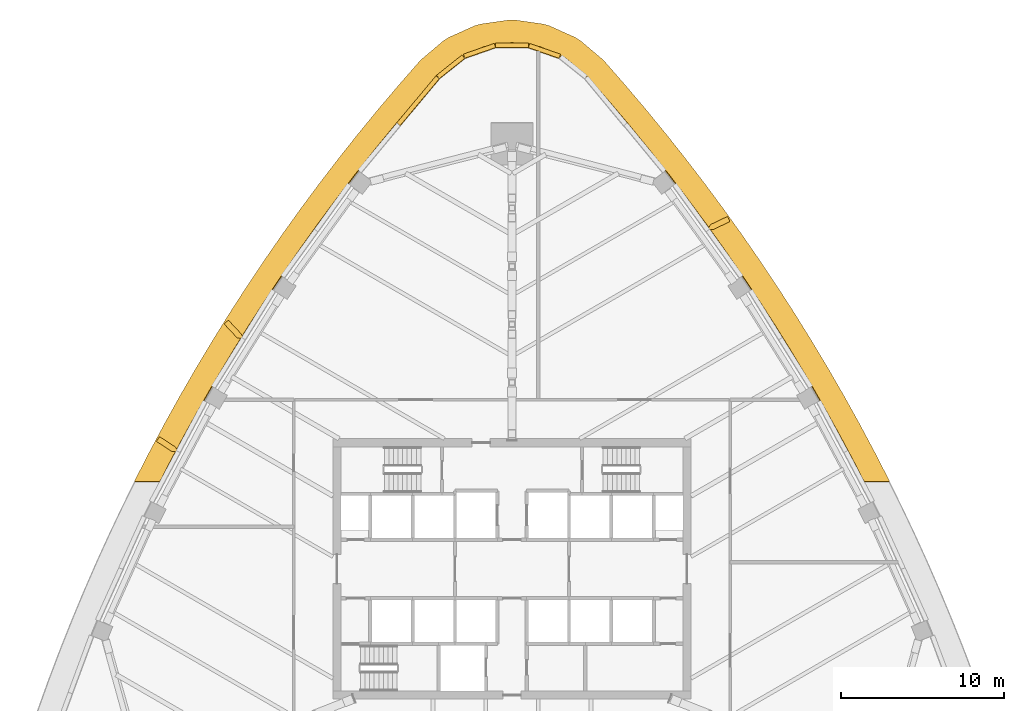
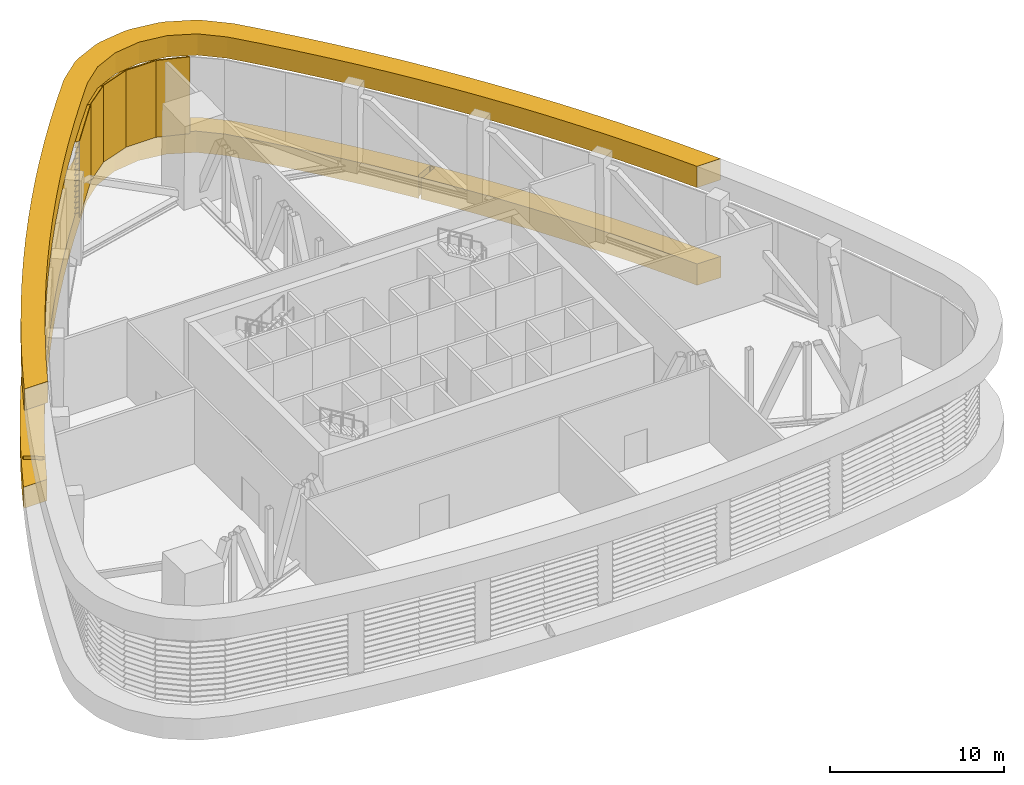
# One storey, part 17 of 18: 5 shading devices, 2 coverings.
"""IFC4 building model written with IfcOpenShell, lengths in metres."""

import ifcopenshell
import ifcopenshell.guid

model = None  # the IFC model being written
_history = None  # IfcOwnerHistory: only IFC2X3 demands one
_inside = {}  # id of a spatial element -> (the spatial element, [elements in it])
_under = {}  # id of a project, library or spatial element -> (it, [spatial elements below it])
_declared = {}  # id of a project -> (the project, [libraries it declares])
_typed = {}  # id of a type object -> (the type object, [elements of that type])
_made_of = {}  # id of a material, layer set ... -> (it, [elements and type objects made of it])


def new_model(schema):
    """Start an empty IFC model of exactly this schema.

    Asked for "IFC4X3", IfcOpenShell would pick the latest addendum, in which some entities
    have other attributes; the version numbers below select the first issue.
    IFC2X3 requires an IfcOwnerHistory on every rooted entity: one is made here for all.
    """
    global model, _history
    if schema == "IFC4X3":
        model = ifcopenshell.file(schema_version=(4, 3, 0, 0))
    else:
        model = ifcopenshell.file(schema=schema)
    _inside.clear()
    _under.clear()
    _declared.clear()
    _typed.clear()
    _made_of.clear()
    _history = None
    if model.schema == "IFC2X3":
        org = make("IfcOrganization", Name="unknown")
        user = make(
            "IfcPersonAndOrganization",
            ThePerson=make("IfcPerson", FamilyName="unknown"),
            TheOrganization=org,
        )
        app = make(
            "IfcApplication",
            ApplicationDeveloper=org,
            Version="unknown",
            ApplicationFullName="unknown",
            ApplicationIdentifier="unknown",
        )
        _history = make(
            "IfcOwnerHistory",
            OwningUser=user,
            OwningApplication=app,
            ChangeAction="ADDED",
            CreationDate=0,
        )
    return model


def make(cls, **values):
    """One entity of the class cls with the attributes given. An attribute that is None is left unset."""
    return model.create_entity(
        cls, **{name: value for name, value in values.items() if value is not None}
    )


def rooted(cls, **values):
    """An entity with a GlobalId (a new one), such as an element, a storey or a relation."""
    return make(cls, GlobalId=ifcopenshell.guid.new(), OwnerHistory=_history, **values)


def si_unit(unit_type, name, prefix=None):
    """IfcSIUnit, for example si_unit("LENGTHUNIT", "METRE", prefix="MILLI")."""
    return make("IfcSIUnit", UnitType=unit_type, Prefix=prefix, Name=name)


def assignment(units):
    """IfcUnitAssignment: the units of a project."""
    return None if units is None else make("IfcUnitAssignment", Units=units)


def point(xyz):
    """IfcCartesianPoint."""
    return None if xyz is None else make("IfcCartesianPoint", Coordinates=xyz)


def direction(xyz):
    """IfcDirection."""
    return None if xyz is None else make("IfcDirection", DirectionRatios=xyz)


def frame(location, z_axis=None, x_axis=None):
    """IfcAxis2Placement3D, a coordinate frame: its origin and axes. An axis left out is left unset."""
    return make(
        "IfcAxis2Placement3D",
        Location=point(location),
        Axis=direction(z_axis),
        RefDirection=direction(x_axis),
    )


def origin():
    """The frame at (0, 0, 0) with its axes left unset."""
    return frame((0.0, 0.0, 0.0))


def place(relative_to, where):
    """IfcLocalPlacement: puts the frame where relative to a parent placement (None: the world)."""
    return make(
        "IfcLocalPlacement", PlacementRelTo=relative_to, RelativePlacement=where
    )


def context(
    kind, dimensions, precision=None, world=None, true_north=None, identifier=None
):
    """IfcGeometricRepresentationContext, for example the 3D "Model" context."""
    return make(
        "IfcGeometricRepresentationContext",
        ContextIdentifier=identifier,
        ContextType=kind,
        CoordinateSpaceDimension=dimensions,
        Precision=precision,
        WorldCoordinateSystem=world,
        TrueNorth=true_north,
    )


def subcontext(parent, identifier, kind, view, scale=None):
    """IfcGeometricRepresentationSubContext, for example "Body" below "Model"."""
    return make(
        "IfcGeometricRepresentationSubContext",
        ContextIdentifier=identifier,
        ContextType=kind,
        ParentContext=parent,
        TargetScale=scale,
        TargetView=view,
    )


def project(units=None, contexts=None):
    """IfcProject with its units and contexts."""
    return rooted(
        "IfcProject",
        Name="project",
        RepresentationContexts=contexts,
        UnitsInContext=assignment(units),
    )


def spatial(cls, under=None, at=None, **own):
    """A site, building, storey or space (cls), placed at a placement, below another one or the project."""
    s = rooted(cls, ObjectPlacement=at, **own)
    if under is not None:
        _under.setdefault(under.id(), (under, []))[1].append(s)
    return s


def polyline(points):
    """IfcPolyline through the points."""
    return make("IfcPolyline", Points=[point(p) for p in points])


def outline(outer, holes=None, kind="AREA"):
    """IfcArbitraryClosedProfileDef: a profile drawn as a closed curve; with holes, ...WithVoids."""
    if holes is None:
        return make("IfcArbitraryClosedProfileDef", ProfileType=kind, OuterCurve=outer)
    return make(
        "IfcArbitraryProfileDefWithVoids",
        ProfileType=kind,
        OuterCurve=outer,
        InnerCurves=holes,
    )


def extrude(swept, where, along, depth):
    """IfcExtrudedAreaSolid: the profile swept, set in the frame where, extruded along a direction by depth."""
    return make(
        "IfcExtrudedAreaSolid",
        SweptArea=swept,
        Position=where,
        ExtrudedDirection=direction(along),
        Depth=depth,
    )


def shape(context_of_items, identifier, shape_type, items):
    """IfcShapeRepresentation: the items that make up one representation, for example the "Body"."""
    return make(
        "IfcShapeRepresentation",
        ContextOfItems=context_of_items,
        RepresentationIdentifier=identifier,
        RepresentationType=shape_type,
        Items=items,
    )


def material(Name=None, Category=None):
    """IfcMaterial."""
    return make("IfcMaterial", Name=Name, Category=Category)


def layer(
    of_material, thickness, ventilated=None, Name=None, Category=None, Priority=None
):
    """IfcMaterialLayer: one layer of a wall or slab, of a material (None: an air gap)."""
    return make(
        "IfcMaterialLayer",
        Material=of_material,
        LayerThickness=thickness,
        IsVentilated=ventilated,
        Name=Name,
        Category=Category,
        Priority=Priority,
    )


def layer_set(layers, Name=None):
    """IfcMaterialLayerSet."""
    return make("IfcMaterialLayerSet", MaterialLayers=layers, LayerSetName=Name)


def made_of(thing, what):
    """Note that an element or type object is made of a material, layer set ...; save() writes the relation."""
    if what is not None:
        _made_of.setdefault(what.id(), (what, []))[1].append(thing)
    return thing


def type_object(cls, material=None, **own):
    """A type object (cls), such as IfcWallType, which elements share."""
    return made_of(rooted(cls, **own), material)


def element(
    cls,
    number,
    at=None,
    inside=None,
    cuts=None,
    type_object=None,
    material=None,
    context=None,
    identifier="Body",
    shape_type=None,
    held_by="IfcProductDefinitionShape",
    body=None,
    shapes=None,
    **own,
):
    """One element of the class cls, such as IfcWall. Its Tag is "e" and its number.

    at: its placement. inside: the storey or other place that contains it. cuts: it is an
    opening in that element (IfcRelVoidsElement). A single representation is given by context,
    identifier, shape_type and body (its items); several are given by shapes. held_by: the class
    of the entity that holds the representations. save() writes the other relations.
    """
    e = rooted(cls, Tag="e%d" % number, ObjectPlacement=at, **own)
    if body is not None:
        shapes = [shape(context, identifier, shape_type, body)]
    if shapes is not None:
        e.Representation = make(held_by, Representations=shapes)
    if inside is not None:
        _inside.setdefault(inside.id(), (inside, []))[1].append(e)
    if cuts is not None:
        rooted(
            "IfcRelVoidsElement", RelatingBuildingElement=cuts, RelatedOpeningElement=e
        )
    if type_object is not None:
        _typed.setdefault(type_object.id(), (type_object, []))[1].append(e)
    return made_of(e, material)


def aggregate(whole, parts):
    """IfcRelAggregates: a whole, such as a stair, and the parts it consists of."""
    return rooted("IfcRelAggregates", RelatingObject=whole, RelatedObjects=parts)


def save(model, path):
    """Write the relations noted so far, then the file.

    IfcRelAggregates (storeys below a building ...), IfcRelContainedInSpatialStructure (elements
    in a storey), IfcRelDefinesByType, IfcRelAssociatesMaterial and IfcRelDeclares: one each for
    every whole, place, type object, material and project.
    """
    for whole, parts in _under.values():
        aggregate(whole, parts)
    for where, things in _inside.values():
        rooted(
            "IfcRelContainedInSpatialStructure",
            RelatedElements=things,
            RelatingStructure=where,
        )
    for kind, things in _typed.values():
        rooted("IfcRelDefinesByType", RelatedObjects=things, RelatingType=kind)
    for what, things in _made_of.values():
        rooted("IfcRelAssociatesMaterial", RelatedObjects=things, RelatingMaterial=what)
    for by, libraries in _declared.values():
        rooted("IfcRelDeclares", RelatingContext=by, RelatedDefinitions=libraries)
    model.write(path)


model = new_model("IFC4")

# Units and contexts
model_context = context("Model", 3, precision=1e-05, world=origin(), true_north=direction((0.0, 1.0)))
body_context = subcontext(model_context, "Body", "Model", "MODEL_VIEW")
ifc_project = project(units=[si_unit("LENGTHUNIT", "METRE"), si_unit("AREAUNIT", "SQUARE_METRE"), si_unit("VOLUMEUNIT", "CUBIC_METRE"), si_unit("PLANEANGLEUNIT", "RADIAN"), si_unit("MASSUNIT", "GRAM", prefix="KILO")], contexts=[model_context])

# Site, building, storey
site_placement = place(None, origin())
site = spatial("IfcSite", under=ifc_project, at=site_placement, CompositionType="ELEMENT")
building_placement = place(site_placement, origin())
building = spatial("IfcBuilding", under=site, at=building_placement, Name="Sierra Prisma Convention Tower", CompositionType="ELEMENT")
storey_placement = place(building_placement, frame((0.0, 0.0, 213.800048828125)))
storey = spatial("IfcBuildingStorey", under=building, at=storey_placement, Name="L48", CompositionType="ELEMENT", Elevation=213.800048828125)

# Coverings
ifc_material_1 = material(Name="Aluminium composite bronze anodised", Category="aluminium")
ifc_layer = layer(ifc_material_1, 1.39990234375)
ifc_layer_set = layer_set([ifc_layer], Name="Bronze belt mass")
covering_type = type_object("IfcCoveringType", Name="Bronze belt mass", PredefinedType="CLADDING", material=ifc_layer_set)
covering_1_placement = place(storey_placement, frame((0.0, 0.0, -1.5)))
element("IfcCovering", 1, at=covering_1_placement, inside=storey, type_object=covering_type, Name="Belt mass lower L48.2", PredefinedType="CLADDING", context=body_context, shape_type="SweptSolid", body=[
    extrude(outline(polyline([(-23.14306640625, 5.484619140625), (-23.1328125, 5.5048828125), (-22.25341796875, 7.21630859375), (-22.242919921875, 7.236572265625), (-21.335693359375, 8.933349609375), (-21.32470703125, 8.953369140625), (-20.39013671875, 10.635009765625), (-20.37890625, 10.65478515625), (-19.4169921875, 12.321044921875), (-19.4052734375, 12.3408203125), (-18.416259765625, 13.9912109375), (-18.404296875, 14.010498046875), (-17.388427734375, 15.64453125), (-17.376220703125, 15.663818359375), (-16.333984375, 17.281005859375), (-16.3212890625, 17.300048828125), (-15.252685546875, 18.89990234375), (-15.239990234375, 18.9189453125), (-14.145263671875, 20.501220703125), (-14.132080078125, 20.52001953125), (-13.01171875, 22.083984375), (-12.998291015625, 22.1025390625), (-11.852783203125, 23.648193359375), (-11.839111328125, 23.66650390625), (-10.668212890625, 25.193359375), (-10.654296875, 25.211181640625), (-9.458740234375, 26.71875), (-9.4443359375, 26.736572265625), (-8.224609375, 28.224365234375), (-8.209716796875, 28.241943359375), (-6.9658203125, 29.709716796875), (-6.950927734375, 29.726806640625), (-5.68310546875, 31.174072265625), (-5.534912109375, 31.31982421875), (-4.209228515625, 32.4423828125), (-3.87744140625, 32.6513671875), (-2.292724609375, 33.3623046875), (-1.916015625, 33.470947265625), (-0.196044921875, 33.71435546875), (0.196044921875, 33.71435546875), (1.916015625, 33.470947265625), (2.292724609375, 33.3623046875), (3.87744140625, 32.6513671875), (4.209228515625, 32.4423828125), (5.534912109375, 31.31982421875), (5.68310546875, 31.174072265625), (6.950927734375, 29.726806640625), (6.9658203125, 29.709716796875), (8.209716796875, 28.241943359375), (8.224609375, 28.224365234375), (9.4443359375, 26.736572265625), (9.458740234375, 26.71875), (10.654296875, 25.211181640625), (10.668212890625, 25.193359375), (11.839111328125, 23.66650390625), (11.852783203125, 23.648193359375), (12.998291015625, 22.1025390625), (13.01171875, 22.083984375), (14.132080078125, 20.52001953125), (14.145263671875, 20.501220703125), (15.239990234375, 18.9189453125), (15.252685546875, 18.89990234375), (16.3212890625, 17.300048828125), (16.333984375, 17.281005859375), (17.376220703125, 15.663818359375), (17.388427734375, 15.64453125), (18.404296875, 14.010498046875), (18.416259765625, 13.9912109375), (19.4052734375, 12.3408203125), (19.4169921875, 12.321044921875), (20.37890625, 10.65478515625), (20.39013671875, 10.635009765625), (21.32470703125, 8.953369140625), (21.335693359375, 8.933349609375), (22.242919921875, 7.236572265625), (22.25341796875, 7.21630859375), (23.1328125, 5.5048828125), (23.14306640625, 5.484619140625), (23.195068359375, 5.379150390625), (21.62353515625, 5.379150390625), (21.00830078125, 6.576416015625), (20.10107421875, 8.273193359375), (19.16650390625, 9.954833984375), (18.204345703125, 11.62109375), (17.21533203125, 13.271484375), (16.199462890625, 14.905517578125), (15.1572265625, 16.5224609375), (14.08837890625, 18.122314453125), (12.993896484375, 19.70458984375), (12.175048828125, 20.84814453125), (12.177490234375, 20.84619140625), (12.181640625, 20.84326171875), (12.186279296875, 20.8408203125), (12.191162109375, 20.8388671875), (12.196044921875, 20.83740234375), (12.201171875, 20.836669921875), (12.206298828125, 20.836181640625), (12.328857421875, 20.833984375), (12.33349609375, 20.834228515625), (12.338134765625, 20.834716796875), (12.342529296875, 20.835693359375), (12.346923828125, 20.837158203125), (12.351318359375, 20.839111328125), (13.34326171875, 21.314453125), (13.34765625, 21.316650390625), (13.351806640625, 21.3193359375), (13.35546875, 21.322509765625), (13.35888671875, 21.326171875), (13.362060546875, 21.329833984375), (13.36474609375, 21.333984375), (13.366943359375, 21.33837890625), (13.368896484375, 21.3427734375), (13.3701171875, 21.347412109375), (13.37109375, 21.352294921875), (13.37158203125, 21.357177734375), (13.37158203125, 21.3623046875), (13.37109375, 21.366943359375), (13.3701171875, 21.371826171875), (13.36865234375, 21.37646484375), (13.36669921875, 21.381103515625), (13.2587890625, 21.6064453125), (13.25634765625, 21.61083984375), (13.253662109375, 21.614990234375), (13.25048828125, 21.61865234375), (13.2470703125, 21.6220703125), (13.2431640625, 21.625244140625), (13.239013671875, 21.6279296875), (13.23486328125, 21.630126953125), (13.230224609375, 21.632080078125), (13.2255859375, 21.633544921875), (13.220703125, 21.634521484375), (13.2158203125, 21.634765625), (13.2109375, 21.634765625), (13.2060546875, 21.63427734375), (13.201171875, 21.63330078125), (13.196533203125, 21.6318359375), (13.19189453125, 21.6298828125), (12.2001953125, 21.154541015625), (12.196044921875, 21.15234375), (12.192138671875, 21.14990234375), (12.1884765625, 21.14697265625), (12.18505859375, 21.1435546875), (12.18212890625, 21.14013671875), (12.179443359375, 21.13623046875), (12.17724609375, 21.13232421875), (12.1044921875, 20.990234375), (12.1025390625, 20.98583984375), (12.100830078125, 20.981201171875), (12.099853515625, 20.976318359375), (12.09912109375, 20.97119140625), (12.09912109375, 20.96630859375), (12.099365234375, 20.96142578125), (12.100341796875, 20.95654296875), (12.1015625, 20.95166015625), (12.1025390625, 20.94921875), (11.873779296875, 21.268798828125), (10.72802734375, 22.814697265625), (9.557373046875, 24.34130859375), (8.36181640625, 25.848876953125), (7.141845703125, 27.336669921875), (5.897705078125, 28.80419921875), (4.6298828125, 30.25146484375), (3.3046875, 31.3740234375), (1.7197265625, 32.084716796875), (0.0, 32.328125), (-1.7197265625, 32.084716796875), (-3.3046875, 31.3740234375), (-4.6298828125, 30.25146484375), (-5.897705078125, 28.80419921875), (-7.141845703125, 27.336669921875), (-8.36181640625, 25.848876953125), (-9.557373046875, 24.34130859375), (-10.72802734375, 22.814697265625), (-11.873779296875, 21.268798828125), (-12.993896484375, 19.70458984375), (-14.08837890625, 18.122314453125), (-15.1572265625, 16.5224609375), (-16.199462890625, 14.905517578125), (-16.5810546875, 14.291748046875), (-16.58056640625, 14.29638671875), (-16.58056640625, 14.30126953125), (-16.580810546875, 14.30615234375), (-16.581787109375, 14.31103515625), (-16.583251953125, 14.31591796875), (-16.620361328125, 14.422119140625), (-16.622314453125, 14.427001953125), (-16.624755859375, 14.431640625), (-16.627685546875, 14.435791015625), (-16.631103515625, 14.43994140625), (-17.383056640625, 15.24267578125), (-17.38671875, 15.24609375), (-17.390380859375, 15.249267578125), (-17.39453125, 15.251708984375), (-17.39892578125, 15.254150390625), (-17.403564453125, 15.255859375), (-17.408203125, 15.257080078125), (-17.4130859375, 15.258056640625), (-17.41796875, 15.258544921875), (-17.4228515625, 15.25830078125), (-17.427734375, 15.2578125), (-17.4326171875, 15.2568359375), (-17.437255859375, 15.25537109375), (-17.441650390625, 15.25341796875), (-17.446044921875, 15.2509765625), (-17.449951171875, 15.248291015625), (-17.453857421875, 15.2451171875), (-17.63623046875, 15.07421875), (-17.6396484375, 15.070556640625), (-17.642578125, 15.066650390625), (-17.645263671875, 15.0625), (-17.647705078125, 15.05810546875), (-17.6494140625, 15.0537109375), (-17.650634765625, 15.048828125), (-17.651611328125, 15.044189453125), (-17.652099609375, 15.039306640625), (-17.65185546875, 15.0341796875), (-17.6513671875, 15.029296875), (-17.650390625, 15.024658203125), (-17.648681640625, 15.02001953125), (-17.64697265625, 15.015380859375), (-17.64453125, 15.01123046875), (-17.6416015625, 15.007080078125), (-17.638427734375, 15.00341796875), (-16.886474609375, 14.20068359375), (-16.8828125, 14.197265625), (-16.87890625, 14.194091796875), (-16.874755859375, 14.19140625), (-16.870361328125, 14.189208984375), (-16.86572265625, 14.1875), (-16.86083984375, 14.18603515625), (-16.85595703125, 14.185302734375), (-16.689208984375, 14.164794921875), (-16.6845703125, 14.16455078125), (-16.679931640625, 14.16455078125), (-16.67529296875, 14.1650390625), (-16.67041015625, 14.166015625), (-16.666015625, 14.16748046875), (-16.66162109375, 14.16943359375), (-16.657470703125, 14.171630859375), (-16.654541015625, 14.173583984375), (-17.21533203125, 13.271484375), (-18.204345703125, 11.62109375), (-19.16650390625, 9.954833984375), (-20.10107421875, 8.273193359375), (-20.601806640625, 7.33642578125), (-20.601806640625, 7.3408203125), (-20.601806640625, 7.345458984375), (-20.6025390625, 7.350341796875), (-20.603759765625, 7.35498046875), (-20.605224609375, 7.359619140625), (-20.607421875, 7.364013671875), (-20.66845703125, 7.481201171875), (-20.6708984375, 7.485595703125), (-20.674072265625, 7.48974609375), (-20.677490234375, 7.493408203125), (-20.681396484375, 7.496826171875), (-20.685302734375, 7.5), (-21.606689453125, 8.101318359375), (-21.61083984375, 8.103515625), (-21.615234375, 8.105712890625), (-21.619873046875, 8.107421875), (-21.624755859375, 8.1083984375), (-21.629638671875, 8.109130859375), (-21.634521484375, 8.109375), (-21.639404296875, 8.10888671875), (-21.644287109375, 8.108154296875), (-21.64892578125, 8.10693359375), (-21.653564453125, 8.105224609375), (-21.657958984375, 8.10302734375), (-21.662109375, 8.1005859375), (-21.666015625, 8.09765625), (-21.669677734375, 8.09423828125), (-21.6728515625, 8.090576171875), (-21.67578125, 8.086669921875), (-21.8125, 7.877197265625), (-21.81494140625, 7.873046875), (-21.81689453125, 7.86865234375), (-21.818603515625, 7.864013671875), (-21.819580078125, 7.859130859375), (-21.8203125, 7.854248046875), (-21.820556640625, 7.849365234375), (-21.8203125, 7.844482421875), (-21.819580078125, 7.839599609375), (-21.818359375, 7.8349609375), (-21.816650390625, 7.830322265625), (-21.814453125, 7.825927734375), (-21.811767578125, 7.82177734375), (-21.808837890625, 7.81787109375), (-21.805419921875, 7.814208984375), (-21.802001953125, 7.81103515625), (-21.7978515625, 7.80810546875), (-20.876708984375, 7.206787109375), (-20.872314453125, 7.204345703125), (-20.867919921875, 7.2021484375), (-20.863037109375, 7.20068359375), (-20.858154296875, 7.199462890625), (-20.85302734375, 7.198974609375), (-20.84814453125, 7.19873046875), (-20.697509765625, 7.20263671875), (-20.692626953125, 7.203125), (-20.68798828125, 7.203857421875), (-20.683349609375, 7.205078125), (-20.678955078125, 7.206787109375), (-20.674560546875, 7.208984375), (-20.670654296875, 7.21142578125), (-20.66748046875, 7.2138671875), (-21.00830078125, 6.576416015625), (-21.62353515625, 5.379150390625), (-23.195068359375, 5.379150390625), (-23.14306640625, 5.484619140625)])), origin(), (0.0, 0.0, 1.0), 1.5),
])
covering_2_placement = place(storey_placement, frame((0.0, 0.0, 5.39990234375)))
element("IfcCovering", 2, at=covering_2_placement, inside=storey, type_object=covering_type, Name="Belt mass upper L48.2", PredefinedType="CLADDING", context=body_context, shape_type="SweptSolid", body=[
    extrude(outline(polyline([(-22.7607421875, 6.135498046875), (-22.749755859375, 6.15673828125), (-21.826416015625, 7.925537109375), (-21.815185546875, 7.946533203125), (-20.862060546875, 9.699462890625), (-20.8505859375, 9.720458984375), (-19.86767578125, 11.456787109375), (-19.855712890625, 11.477294921875), (-18.84326171875, 13.197021484375), (-18.8310546875, 13.21728515625), (-17.78955078125, 14.919189453125), (-17.777099609375, 14.939453125), (-16.706787109375, 16.62353515625), (-16.69384765625, 16.6435546875), (-15.59521484375, 18.30908203125), (-15.581787109375, 18.328857421875), (-14.454833984375, 19.9755859375), (-14.44140625, 19.9951171875), (-13.28662109375, 21.622314453125), (-13.272705078125, 21.6416015625), (-12.09033203125, 23.2490234375), (-12.076171875, 23.26806640625), (-10.86669921875, 24.855224609375), (-10.85205078125, 24.8740234375), (-9.61572265625, 26.440185546875), (-9.600830078125, 26.458740234375), (-8.338134765625, 28.003662109375), (-8.322998046875, 28.022216796875), (-7.0341796875, 29.54541015625), (-7.0185546875, 29.5634765625), (-5.7041015625, 31.064453125), (-5.555419921875, 31.210693359375), (-4.223876953125, 32.337890625), (-3.89208984375, 32.546875), (-2.30029296875, 33.2607421875), (-1.923583984375, 33.369384765625), (-0.196044921875, 33.61376953125), (0.196044921875, 33.61376953125), (1.923583984375, 33.369384765625), (2.30029296875, 33.2607421875), (3.89208984375, 32.546875), (4.223876953125, 32.337890625), (5.555419921875, 31.210693359375), (5.7041015625, 31.064453125), (7.0185546875, 29.5634765625), (7.0341796875, 29.54541015625), (8.322998046875, 28.022216796875), (8.338134765625, 28.003662109375), (9.600830078125, 26.458740234375), (9.61572265625, 26.440185546875), (10.85205078125, 24.8740234375), (10.86669921875, 24.855224609375), (12.076171875, 23.26806640625), (12.09033203125, 23.2490234375), (13.272705078125, 21.6416015625), (13.28662109375, 21.622314453125), (14.44140625, 19.9951171875), (14.454833984375, 19.9755859375), (15.581787109375, 18.328857421875), (15.59521484375, 18.30908203125), (16.69384765625, 16.6435546875), (16.706787109375, 16.62353515625), (17.777099609375, 14.939453125), (17.78955078125, 14.919189453125), (18.8310546875, 13.21728515625), (18.84326171875, 13.197021484375), (19.855712890625, 11.477294921875), (19.86767578125, 11.456787109375), (20.8505859375, 9.720458984375), (20.862060546875, 9.699462890625), (21.815185546875, 7.946533203125), (21.826416015625, 7.925537109375), (22.749755859375, 6.15673828125), (22.7607421875, 6.135498046875), (23.154052734375, 5.349853515625), (21.58837890625, 5.349853515625), (21.5087890625, 5.5087890625), (20.58544921875, 7.27783203125), (19.632080078125, 9.03076171875), (18.649169921875, 10.76708984375), (17.636962890625, 12.486572265625), (16.595458984375, 14.188720703125), (15.525146484375, 15.872802734375), (14.426513671875, 17.538330078125), (13.299560546875, 19.184814453125), (12.144775390625, 20.812255859375), (10.962646484375, 22.41943359375), (9.753173828125, 24.006591796875), (8.516845703125, 25.57275390625), (7.254150390625, 27.117919921875), (5.96533203125, 28.64111328125), (4.65087890625, 30.14208984375), (3.3193359375, 31.26953125), (1.727294921875, 31.9833984375), (0.0, 32.2275390625), (-1.727294921875, 31.9833984375), (-3.3193359375, 31.26953125), (-4.65087890625, 30.14208984375), (-5.96533203125, 28.64111328125), (-7.254150390625, 27.117919921875), (-8.516845703125, 25.57275390625), (-9.753173828125, 24.006591796875), (-10.962646484375, 22.41943359375), (-12.144775390625, 20.812255859375), (-13.299560546875, 19.184814453125), (-14.426513671875, 17.538330078125), (-15.525146484375, 15.872802734375), (-16.595458984375, 14.188720703125), (-17.636962890625, 12.486572265625), (-18.649169921875, 10.76708984375), (-19.632080078125, 9.03076171875), (-20.58544921875, 7.27783203125), (-21.5087890625, 5.5087890625), (-21.58837890625, 5.349853515625), (-23.154052734375, 5.349853515625), (-22.7607421875, 6.135498046875)])), origin(), (0.0, 0.0, 1.0), 1.5),
])

# Shading devices
ifc_material_2 = material(Name="Aluminium 6063-T6 bronze anodised", Category="aluminium")
shading_device_type = type_object("IfcShadingDeviceType", Name="Louvre bay bronze", PredefinedType="USERDEFINED", material=ifc_material_2)
shading_device_1_placement = place(storey_placement, frame((2.883544921875, 31.332763671875, 0.0), z_axis=(0.944641754427, -0.328103574795, 0.0), x_axis=(0.0, 0.0, 1.0)))
element("IfcShadingDevice", 3, at=shading_device_1_placement, inside=storey, type_object=shading_device_type, Name="Louvre L48 N2.1", ObjectType="LOUVRE", PredefinedType="USERDEFINED", context=body_context, shape_type="SweptSolid", body=[
    extrude(outline(polyline([(0.0, 0.0), (5.39990234375, 0.0), (5.39990234375, -0.02995668615852561), (5.3798828125, -0.02995668615852561), (5.260009765625, -0.29981685662782104), (5.22998046875, -0.29981685662782104), (5.349853515625, -0.02995668615852561), (5.01416015625, -0.02995668615852561), (4.994140625, -0.02995668615852561), (4.874267578125, -0.29981685662782104), (4.84423828125, -0.29981685662782104), (4.96435546875, -0.02995668615852561), (4.62841796875, -0.02995668615852561), (4.608642578125, -0.02995668615852561), (4.488525390625, -0.29981685662782104), (4.45849609375, -0.29981685662782104), (4.57861328125, -0.02995668615852561), (4.242919921875, -0.02995668615852561), (4.222900390625, -0.02995668615852561), (4.102783203125, -0.29981685662782104), (4.07275390625, -0.29981685662782104), (4.19287109375, -0.02995668615852561), (3.857177734375, -0.02995668615852561), (3.837158203125, -0.02995668615852561), (3.717041015625, -0.29981685662782104), (3.68701171875, -0.29981685662782104), (3.80712890625, -0.02995668615852561), (3.471435546875, -0.02995668615852561), (3.451416015625, -0.02995668615852561), (3.331298828125, -0.29981685662782104), (3.30126953125, -0.29981685662782104), (3.42138671875, -0.02995668615852561), (3.085693359375, -0.02995668615852561), (3.065673828125, -0.02995668615852561), (2.945556640625, -0.29981685662782104), (2.915771484375, -0.29981685662782104), (3.03564453125, -0.02995668615852561), (2.699951171875, -0.02995668615852561), (2.679931640625, -0.02995668615852561), (2.56005859375, -0.29981685662782104), (2.530029296875, -0.29981685662782104), (2.64990234375, -0.02995668615852561), (2.314208984375, -0.02995668615852561), (2.294189453125, -0.02995668615852561), (2.17431640625, -0.29981685662782104), (2.144287109375, -0.29981685662782104), (2.26416015625, -0.02995668615852561), (1.928466796875, -0.02995668615852561), (1.908447265625, -0.02995668615852561), (1.78857421875, -0.29981685662782104), (1.758544921875, -0.29981685662782104), (1.87841796875, -0.02995668615852561), (1.542724609375, -0.02995668615852561), (1.522705078125, -0.02995668615852561), (1.40283203125, -0.29981685662782104), (1.372802734375, -0.29981685662782104), (1.492919921875, -0.02995668615852561), (1.156982421875, -0.02995668615852561), (1.13720703125, -0.02995668615852561), (1.01708984375, -0.29981685662782104), (0.987060546875, -0.29981685662782104), (1.107177734375, -0.02995668615852561), (0.771484375, -0.02995668615852561), (0.75146484375, -0.02995668615852561), (0.63134765625, -0.29981685662782104), (0.601318359375, -0.29981685662782104), (0.721435546875, -0.02995668615852561), (0.3857421875, -0.02995668615852561), (0.36572265625, -0.02995668615852561), (0.24560546875, -0.29981685662782104), (0.215576171875, -0.29981685662782104), (0.335693359375, -0.02995668615852561), (0.0, -0.02995668615852561), (0.0, 0.0)])), origin(), (0.0, 0.0, -1.0), 1.997314453125),
])
shading_device_2_placement = place(storey_placement, frame((0.998779296875, 31.99365234375, 0.0), z_axis=(1.0, 0.0, 0.0), x_axis=(0.0, 0.0, 1.0)))
element("IfcShadingDevice", 4, at=shading_device_2_placement, inside=storey, type_object=shading_device_type, Name="Louvre L48 N3.1", ObjectType="LOUVRE", PredefinedType="USERDEFINED", context=body_context, shape_type="SweptSolid", body=[
    extrude(outline(polyline([(0.0, 0.0), (5.39990234375, 0.0), (5.39990234375, -0.030029296875), (5.3798828125, -0.030029296875), (5.260009765625, -0.300048828125), (5.22998046875, -0.300048828125), (5.349853515625, -0.030029296875), (5.01416015625, -0.030029296875), (4.994140625, -0.030029296875), (4.874267578125, -0.300048828125), (4.84423828125, -0.300048828125), (4.96435546875, -0.030029296875), (4.62841796875, -0.030029296875), (4.608642578125, -0.030029296875), (4.488525390625, -0.300048828125), (4.45849609375, -0.300048828125), (4.57861328125, -0.030029296875), (4.242919921875, -0.030029296875), (4.222900390625, -0.030029296875), (4.102783203125, -0.300048828125), (4.07275390625, -0.300048828125), (4.19287109375, -0.030029296875), (3.857177734375, -0.030029296875), (3.837158203125, -0.030029296875), (3.717041015625, -0.300048828125), (3.68701171875, -0.300048828125), (3.80712890625, -0.030029296875), (3.471435546875, -0.030029296875), (3.451416015625, -0.030029296875), (3.331298828125, -0.300048828125), (3.30126953125, -0.300048828125), (3.42138671875, -0.030029296875), (3.085693359375, -0.030029296875), (3.065673828125, -0.030029296875), (2.945556640625, -0.300048828125), (2.915771484375, -0.300048828125), (3.03564453125, -0.030029296875), (2.699951171875, -0.030029296875), (2.679931640625, -0.030029296875), (2.56005859375, -0.300048828125), (2.530029296875, -0.300048828125), (2.64990234375, -0.030029296875), (2.314208984375, -0.030029296875), (2.294189453125, -0.030029296875), (2.17431640625, -0.300048828125), (2.144287109375, -0.300048828125), (2.26416015625, -0.030029296875), (1.928466796875, -0.030029296875), (1.908447265625, -0.030029296875), (1.78857421875, -0.300048828125), (1.758544921875, -0.300048828125), (1.87841796875, -0.030029296875), (1.542724609375, -0.030029296875), (1.522705078125, -0.030029296875), (1.40283203125, -0.300048828125), (1.372802734375, -0.300048828125), (1.492919921875, -0.030029296875), (1.156982421875, -0.030029296875), (1.13720703125, -0.030029296875), (1.01708984375, -0.300048828125), (0.987060546875, -0.300048828125), (1.107177734375, -0.030029296875), (0.771484375, -0.030029296875), (0.75146484375, -0.030029296875), (0.63134765625, -0.300048828125), (0.601318359375, -0.300048828125), (0.721435546875, -0.030029296875), (0.3857421875, -0.030029296875), (0.36572265625, -0.030029296875), (0.24560546875, -0.300048828125), (0.215576171875, -0.300048828125), (0.335693359375, -0.030029296875), (0.0, -0.030029296875), (0.0, 0.0)])), origin(), (0.0, 0.0, -1.0), 1.997314453125),
])
shading_device_3_placement = place(storey_placement, frame((-0.998779296875, 31.99365234375, 0.0), z_axis=(0.944681860582, 0.327988082539, 0.0), x_axis=(0.0, 0.0, 1.0)))
element("IfcShadingDevice", 5, at=shading_device_3_placement, inside=storey, type_object=shading_device_type, Name="Louvre L48 N4.1", ObjectType="LOUVRE", PredefinedType="USERDEFINED", context=body_context, shape_type="SweptSolid", body=[
    extrude(outline(polyline([(0.0, 0.0), (5.39990234375, 0.0), (5.39990234375, -0.029956694123304387), (5.3798828125, -0.029956694123304387), (5.260009765625, -0.30004739252582613), (5.22998046875, -0.30004739252582613), (5.349853515625, -0.029956694123304387), (5.01416015625, -0.029956694123304387), (4.994140625, -0.029956694123304387), (4.874267578125, -0.30004739252582613), (4.84423828125, -0.30004739252582613), (4.96435546875, -0.029956694123304387), (4.62841796875, -0.029956694123304387), (4.608642578125, -0.029956694123304387), (4.488525390625, -0.30004739252582613), (4.45849609375, -0.30004739252582613), (4.57861328125, -0.029956694123304387), (4.242919921875, -0.029956694123304387), (4.222900390625, -0.029956694123304387), (4.102783203125, -0.30004739252582613), (4.07275390625, -0.30004739252582613), (4.19287109375, -0.029956694123304387), (3.857177734375, -0.029956694123304387), (3.837158203125, -0.029956694123304387), (3.717041015625, -0.30004739252582613), (3.68701171875, -0.30004739252582613), (3.80712890625, -0.029956694123304387), (3.471435546875, -0.029956694123304387), (3.451416015625, -0.029956694123304387), (3.331298828125, -0.30004739252582613), (3.30126953125, -0.30004739252582613), (3.42138671875, -0.029956694123304387), (3.085693359375, -0.029956694123304387), (3.065673828125, -0.029956694123304387), (2.945556640625, -0.30004739252582613), (2.915771484375, -0.30004739252582613), (3.03564453125, -0.029956694123304387), (2.699951171875, -0.029956694123304387), (2.679931640625, -0.029956694123304387), (2.56005859375, -0.30004739252582613), (2.530029296875, -0.30004739252582613), (2.64990234375, -0.029956694123304387), (2.314208984375, -0.029956694123304387), (2.294189453125, -0.029956694123304387), (2.17431640625, -0.30004739252582613), (2.144287109375, -0.30004739252582613), (2.26416015625, -0.029956694123304387), (1.928466796875, -0.029956694123304387), (1.908447265625, -0.029956694123304387), (1.78857421875, -0.30004739252582613), (1.758544921875, -0.30004739252582613), (1.87841796875, -0.029956694123304387), (1.542724609375, -0.029956694123304387), (1.522705078125, -0.029956694123304387), (1.40283203125, -0.30004739252582613), (1.372802734375, -0.30004739252582613), (1.492919921875, -0.029956694123304387), (1.156982421875, -0.029956694123304387), (1.13720703125, -0.029956694123304387), (1.01708984375, -0.30004739252582613), (0.987060546875, -0.30004739252582613), (1.107177734375, -0.029956694123304387), (0.771484375, -0.029956694123304387), (0.75146484375, -0.029956694123304387), (0.63134765625, -0.30004739252582613), (0.601318359375, -0.30004739252582613), (0.721435546875, -0.029956694123304387), (0.3857421875, -0.029956694123304387), (0.36572265625, -0.029956694123304387), (0.24560546875, -0.30004739252582613), (0.215576171875, -0.30004739252582613), (0.335693359375, -0.029956694123304387), (0.0, -0.029956694123304387), (0.0, 0.0)])), origin(), (0.0, 0.0, -1.0), 1.997314453125),
])
shading_device_4_placement = place(storey_placement, frame((-2.883544921875, 31.332763671875, 0.0), z_axis=(0.782628693346, 0.622488817853, 0.0), x_axis=(0.0, 0.0, 1.0)))
element("IfcShadingDevice", 6, at=shading_device_4_placement, inside=storey, type_object=shading_device_type, Name="Louvre L48 N5.1", ObjectType="LOUVRE", PredefinedType="USERDEFINED", context=body_context, shape_type="SweptSolid", body=[
    extrude(outline(polyline([(0.0, 0.0), (5.39990234375, 0.0), (5.39990234375, -0.029892945487796377), (5.3798828125, -0.029892945487796377), (5.260009765625, -0.2998022070829495), (5.22998046875, -0.2998022070829495), (5.349853515625, -0.029892945487796377), (5.01416015625, -0.029892945487796377), (4.994140625, -0.029892945487796377), (4.874267578125, -0.2998022070829495), (4.84423828125, -0.2998022070829495), (4.96435546875, -0.029892945487796377), (4.62841796875, -0.029892945487796377), (4.608642578125, -0.029892945487796377), (4.488525390625, -0.2998022070829495), (4.45849609375, -0.2998022070829495), (4.57861328125, -0.029892945487796377), (4.242919921875, -0.029892945487796377), (4.222900390625, -0.029892945487796377), (4.102783203125, -0.2998022070829495), (4.07275390625, -0.2998022070829495), (4.19287109375, -0.029892945487796377), (3.857177734375, -0.029892945487796377), (3.837158203125, -0.029892945487796377), (3.717041015625, -0.2998022070829495), (3.68701171875, -0.2998022070829495), (3.80712890625, -0.029892945487796377), (3.471435546875, -0.029892945487796377), (3.451416015625, -0.029892945487796377), (3.331298828125, -0.2998022070829495), (3.30126953125, -0.2998022070829495), (3.42138671875, -0.029892945487796377), (3.085693359375, -0.029892945487796377), (3.065673828125, -0.029892945487796377), (2.945556640625, -0.2998022070829495), (2.915771484375, -0.2998022070829495), (3.03564453125, -0.029892945487796377), (2.699951171875, -0.029892945487796377), (2.679931640625, -0.029892945487796377), (2.56005859375, -0.2998022070829495), (2.530029296875, -0.2998022070829495), (2.64990234375, -0.029892945487796377), (2.314208984375, -0.029892945487796377), (2.294189453125, -0.029892945487796377), (2.17431640625, -0.2998022070829495), (2.144287109375, -0.2998022070829495), (2.26416015625, -0.029892945487796377), (1.928466796875, -0.029892945487796377), (1.908447265625, -0.029892945487796377), (1.78857421875, -0.2998022070829495), (1.758544921875, -0.2998022070829495), (1.87841796875, -0.029892945487796377), (1.542724609375, -0.029892945487796377), (1.522705078125, -0.029892945487796377), (1.40283203125, -0.2998022070829495), (1.372802734375, -0.2998022070829495), (1.492919921875, -0.029892945487796377), (1.156982421875, -0.029892945487796377), (1.13720703125, -0.029892945487796377), (1.01708984375, -0.2998022070829495), (0.987060546875, -0.2998022070829495), (1.107177734375, -0.029892945487796377), (0.771484375, -0.029892945487796377), (0.75146484375, -0.029892945487796377), (0.63134765625, -0.2998022070829495), (0.601318359375, -0.2998022070829495), (0.721435546875, -0.029892945487796377), (0.3857421875, -0.029892945487796377), (0.36572265625, -0.029892945487796377), (0.24560546875, -0.2998022070829495), (0.215576171875, -0.2998022070829495), (0.335693359375, -0.029892945487796377), (0.0, -0.029892945487796377), (0.0, 0.0)])), origin(), (0.0, 0.0, -1.0), 1.997314453125),
])
shading_device_5_placement = place(storey_placement, frame((-4.443359375, 30.085205078125, 0.0), z_axis=(0.64159092974, 0.767046986094, 0.0), x_axis=(0.0, 0.0, 1.0)))
element("IfcShadingDevice", 7, at=shading_device_5_placement, inside=storey, type_object=shading_device_type, Name="Louvre L48 NW1.1", ObjectType="LOUVRE", PredefinedType="USERDEFINED", context=body_context, shape_type="SweptSolid", body=[
    extrude(outline(polyline([(0.0, 0.0), (5.39990234375, 0.0), (5.39990234375, -0.029977563511294845), (5.3798828125, -0.029977563511294845), (5.260009765625, -0.3000854181235708), (5.22998046875, -0.3000854181235708), (5.349853515625, -0.029977563511294845), (5.01416015625, -0.029977563511294845), (4.994140625, -0.029977563511294845), (4.874267578125, -0.3000854181235708), (4.84423828125, -0.3000854181235708), (4.96435546875, -0.029977563511294845), (4.62841796875, -0.029977563511294845), (4.608642578125, -0.029977563511294845), (4.488525390625, -0.3000854181235708), (4.45849609375, -0.3000854181235708), (4.57861328125, -0.029977563511294845), (4.242919921875, -0.029977563511294845), (4.222900390625, -0.029977563511294845), (4.102783203125, -0.3000854181235708), (4.07275390625, -0.3000854181235708), (4.19287109375, -0.029977563511294845), (3.857177734375, -0.029977563511294845), (3.837158203125, -0.029977563511294845), (3.717041015625, -0.3000854181235708), (3.68701171875, -0.3000854181235708), (3.80712890625, -0.029977563511294845), (3.471435546875, -0.029977563511294845), (3.451416015625, -0.029977563511294845), (3.331298828125, -0.3000854181235708), (3.30126953125, -0.3000854181235708), (3.42138671875, -0.029977563511294845), (3.085693359375, -0.029977563511294845), (3.065673828125, -0.029977563511294845), (2.945556640625, -0.3000854181235708), (2.915771484375, -0.3000854181235708), (3.03564453125, -0.029977563511294845), (2.699951171875, -0.029977563511294845), (2.679931640625, -0.029977563511294845), (2.56005859375, -0.3000854181235708), (2.530029296875, -0.3000854181235708), (2.64990234375, -0.029977563511294845), (2.314208984375, -0.029977563511294845), (2.294189453125, -0.029977563511294845), (2.17431640625, -0.3000854181235708), (2.144287109375, -0.3000854181235708), (2.26416015625, -0.029977563511294845), (1.928466796875, -0.029977563511294845), (1.908447265625, -0.029977563511294845), (1.78857421875, -0.3000854181235708), (1.758544921875, -0.3000854181235708), (1.87841796875, -0.029977563511294845), (1.542724609375, -0.029977563511294845), (1.522705078125, -0.029977563511294845), (1.40283203125, -0.3000854181235708), (1.372802734375, -0.3000854181235708), (1.492919921875, -0.029977563511294845), (1.156982421875, -0.029977563511294845), (1.13720703125, -0.029977563511294845), (1.01708984375, -0.3000854181235708), (0.987060546875, -0.3000854181235708), (1.107177734375, -0.029977563511294845), (0.771484375, -0.029977563511294845), (0.75146484375, -0.029977563511294845), (0.63134765625, -0.3000854181235708), (0.601318359375, -0.3000854181235708), (0.721435546875, -0.029977563511294845), (0.3857421875, -0.029977563511294845), (0.36572265625, -0.029977563511294845), (0.24560546875, -0.3000854181235708), (0.215576171875, -0.3000854181235708), (0.335693359375, -0.029977563511294845), (0.0, -0.029977563511294845), (0.0, 0.0)])), origin(), (0.0, 0.0, -1.0), 3.7490234375),
])

save(model, "model.ifc")
